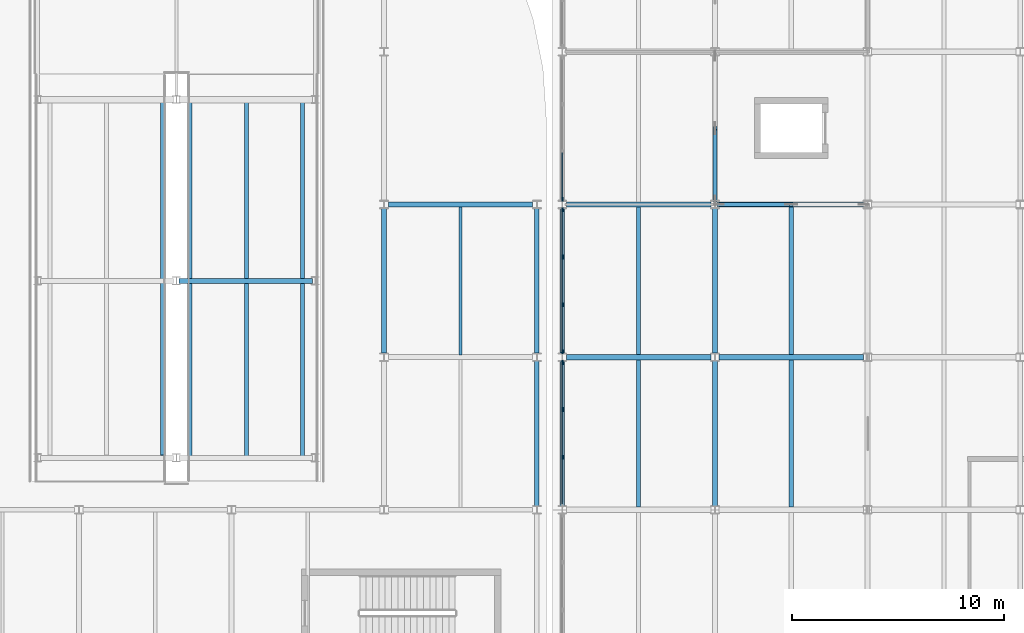
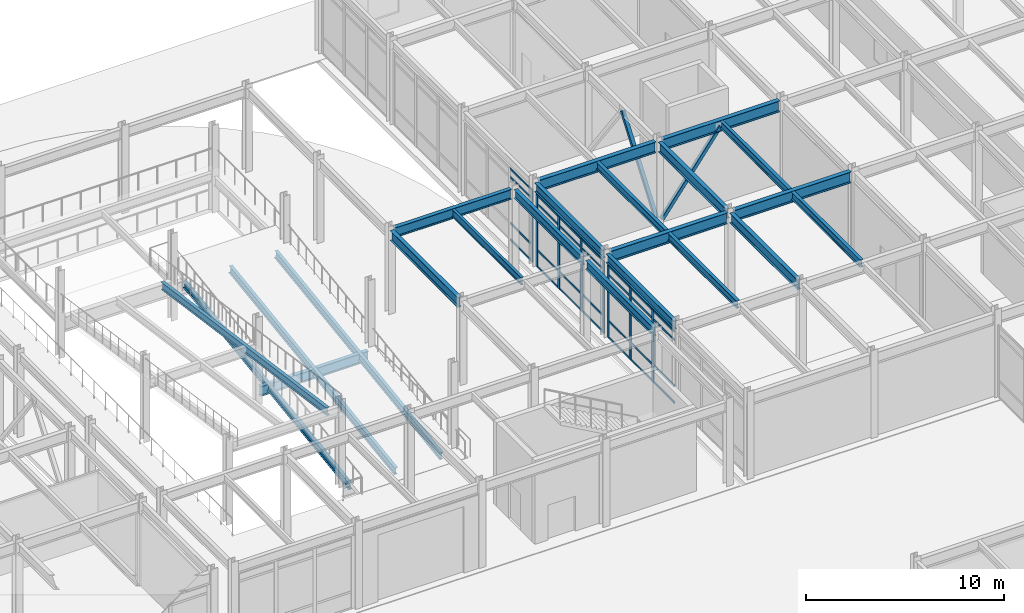
# One storey, part 50 of 104: 38 members, 22 beams, 3 elements without a shape of their own.
"""IFC4 building model written with IfcOpenShell, lengths in metres."""

from ifc_helpers import new_model, si_unit, direction, frame, origin, origin_2d, place, context, subcontext, project, spatial, rectangle, hollow_rectangle, i_section, extrude, material, material_profile, profile_set, type_object, element, aggregate, save


model = new_model("IFC4")

# Units and contexts
model_context = context("Model", 3, precision=1e-05, world=origin(), true_north=direction((0.0, 1.0)))
body_context = subcontext(model_context, "Body", "Model", "MODEL_VIEW")
ifc_project = project(units=[si_unit("LENGTHUNIT", "METRE"), si_unit("AREAUNIT", "SQUARE_METRE"), si_unit("VOLUMEUNIT", "CUBIC_METRE"), si_unit("PLANEANGLEUNIT", "RADIAN"), si_unit("MASSUNIT", "GRAM", prefix="KILO")], contexts=[model_context])

# Site, building, storey
site_placement = place(None, origin())
site = spatial("IfcSite", under=ifc_project, at=site_placement, CompositionType="ELEMENT")
building_placement = place(site_placement, origin())
building = spatial("IfcBuilding", under=site, at=building_placement, Name="Vaelcorin Mobility Hub", CompositionType="ELEMENT")
storey_placement = place(building_placement, origin())
storey = spatial("IfcBuildingStorey", under=building, at=storey_placement, Name="L00", CompositionType="ELEMENT", Elevation=0.0)

# Beams
ifc_material_1 = material(Name="Steel ASTM A992 Grade 50", Category="steel")
ifc_material_profile_1 = material_profile(ifc_material_1, i_section(OverallWidth=0.152099609375, OverallDepth=0.455078125, WebThickness=0.008056640625, FlangeThickness=0.01318359375, FilletRadius=0.012939453125, at=origin_2d()), Name="W18X40")
ifc_profile_set_1 = profile_set([ifc_material_profile_1], Name="Steel ASTM A992 Grade 50")
beam_type_1 = type_object("IfcBeamType", Name="BM-W18X40", PredefinedType="JOIST", material=ifc_profile_set_1)
beam_1_placement = place(storey_placement, frame((148.800048828125, 91.31201171875, 4.922119140625), z_axis=(0.0, 1.0, 0.0), x_axis=(-1.0, 0.0, 0.0)))
element("IfcBeam", 1, at=beam_1_placement, inside=storey, type_object=beam_type_1, Name="L00 Beam V2E-L00-J-04-03-1", PredefinedType="JOIST", context=body_context, shape_type="SweptSolid", body=[
    extrude(i_section(OverallWidth=0.152099609375, OverallDepth=0.455078125, WebThickness=0.008056640625, FlangeThickness=0.01318359375, FilletRadius=0.012939453125, at=origin_2d()), origin(), (0.0, 0.0, 1.0), 6.97607421875),
])
ifc_material_profile_2 = material_profile(ifc_material_1, i_section(OverallWidth=0.19091796875, OverallDepth=0.4599609375, WebThickness=0.010009765625, FlangeThickness=0.01611328125, FilletRadius=0.012939453125, at=origin_2d()), Name="W18X55")
ifc_profile_set_2 = profile_set([ifc_material_profile_2], Name="Steel ASTM A992 Grade 50")
beam_type_2 = type_object("IfcBeamType", Name="BM-W18X55", PredefinedType="JOIST", material=ifc_profile_set_2)
for number, where, z_axis, x_axis, name in (
    (2, (157.199951171875, 84.125, 4.909912109375), (0.0, 1.0, 0.0), (-1.0, 0.0, 0.0), "L00 Beam V5-L00-J-01-10-1"),
    (3, (157.199951171875, 91.324951171875, 4.909912109375), (0.0, 1.0, 0.0), (-1.0, 0.0, 0.0), "L00 Beam V5-L00-J-01-11-1"),
    (4, (164.39990234375, 84.125, 4.909912109375), (0.0, 1.0, 0.0), (-1.0, 0.0, 0.0), "L00 Beam V5-L00-J-02-10-1"),
    (5, (164.39990234375, 91.324951171875, 4.909912109375), (0.0, 1.0, 0.0), (-1.0, 0.0, 0.0), "L00 Beam V5-L00-J-02-11-1"),
):
    element("IfcBeam", number, at=place(storey_placement, frame(where, z_axis=z_axis, x_axis=x_axis)), inside=storey, type_object=beam_type_2, Name=name, PredefinedType="JOIST", context=body_context, shape_type="SweptSolid", body=[
        extrude(i_section(OverallWidth=0.19091796875, OverallDepth=0.4599609375, WebThickness=0.010009765625, FlangeThickness=0.01611328125, FilletRadius=0.012939453125, at=origin_2d()), origin(), (0.0, 0.0, 1.0), 6.949951171875),
    ])
for number, where, z_axis, x_axis, name in (
    (6, (136.050048828125, 86.56005859375, -0.345947265625), (0.0, 0.990237863505, 0.139387853417), (-1.0, 0.0, 0.0), "Vehicle Ramp VR-2 L00 Flight 1 Stringer 1"),
    (7, (138.699951171875, 86.56005859375, -0.345947265625), (0.0, 0.990237863505, 0.139387853417), (-1.0, 0.0, 0.0), "Vehicle Ramp VR-2 L00 Flight 1 Stringer 2"),
    (8, (141.35009765625, 86.56005859375, -0.345947265625), (0.0, 0.990237863505, 0.139387853417), (-1.0, 0.0, 0.0), "Vehicle Ramp VR-2 L00 Flight 1 Stringer 3"),
    (9, (134.75, 103.239990234375, 2.367919921875), (0.0, -0.990235862856, 0.139402065674), (1.0, 0.0, 0.0), "Vehicle Ramp VR-2 L00 Flight 2 Stringer 3"),
):
    element("IfcBeam", number, at=place(storey_placement, frame(where, z_axis=z_axis, x_axis=x_axis)), inside=storey, type_object=beam_type_2, Name=name, PredefinedType="JOIST", context=body_context, shape_type="SweptSolid", body=[
        extrude(i_section(OverallWidth=0.19091796875, OverallDepth=0.4599609375, WebThickness=0.010009765625, FlangeThickness=0.01611328125, FilletRadius=0.012939453125, at=origin_2d()), origin(), (0.0, 0.0, 1.0), 16.844482421875),
    ])
ifc_material_profile_3 = material_profile(ifc_material_1, i_section(OverallWidth=0.2099609375, OverallDepth=0.535888671875, WebThickness=0.010986328125, FlangeThickness=0.017333984375, FilletRadius=0.013916015625, at=origin_2d()), Name="W21X68")
ifc_profile_set_3 = profile_set([ifc_material_profile_3], Name="Steel ASTM A992 Grade 50")
beam_type_3 = type_object("IfcBeamType", Name="BM-W21X68", PredefinedType="SPANDREL", material=ifc_profile_set_3)
beam_2_placement = place(storey_placement, frame((152.39990234375, 84.18798828125, 4.882080078125), z_axis=(0.0, 1.0, 0.0), x_axis=(-1.0, 0.0, 0.0)))
element("IfcBeam", 10, at=beam_2_placement, inside=storey, type_object=beam_type_3, Name="L00 Beam V2E-L00-GY-05-02", PredefinedType="SPANDREL", context=body_context, shape_type="SweptSolid", body=[
    extrude(i_section(OverallWidth=0.2099609375, OverallDepth=0.535888671875, WebThickness=0.010986328125, FlangeThickness=0.017333984375, FilletRadius=0.013916015625, at=origin_2d()), origin(), (0.0, 0.0, 1.0), 6.823974609375),
])
beam_3_placement = place(storey_placement, frame((152.39990234375, 91.388916015625, 4.882080078125), z_axis=(0.0, 1.0, 0.0), x_axis=(-1.0, 0.0, 0.0)))
element("IfcBeam", 11, at=beam_3_placement, inside=storey, type_object=beam_type_3, Name="L00 Beam V2E-L00-GY-05-03", PredefinedType="SPANDREL", context=body_context, shape_type="SweptSolid", body=[
    extrude(i_section(OverallWidth=0.2099609375, OverallDepth=0.535888671875, WebThickness=0.010986328125, FlangeThickness=0.017333984375, FilletRadius=0.013916015625, at=origin_2d()), origin(), (0.0, 0.0, 1.0), 6.822998046875),
])
beam_4_placement = place(storey_placement, frame((153.60009765625, 84.18798828125, 4.8720703125), z_axis=(0.0, 1.0, 0.0), x_axis=(-1.0, 0.0, 0.0)))
element("IfcBeam", 12, at=beam_4_placement, inside=storey, type_object=beam_type_3, Name="L00 Beam V5-L00-GY-01-10", PredefinedType="SPANDREL", context=body_context, shape_type="SweptSolid", body=[
    extrude(i_section(OverallWidth=0.2099609375, OverallDepth=0.535888671875, WebThickness=0.010986328125, FlangeThickness=0.017333984375, FilletRadius=0.013916015625, at=origin_2d()), origin(), (0.0, 0.0, 1.0), 6.823974609375),
])
beam_5_placement = place(storey_placement, frame((153.60009765625, 91.388916015625, 4.8720703125), z_axis=(0.0, 1.0, 0.0), x_axis=(-1.0, 0.0, 0.0)))
element("IfcBeam", 13, at=beam_5_placement, inside=storey, type_object=beam_type_3, Name="L00 Beam V5-L00-GY-01-11", PredefinedType="SPANDREL", context=body_context, shape_type="SweptSolid", body=[
    extrude(i_section(OverallWidth=0.2099609375, OverallDepth=0.535888671875, WebThickness=0.010986328125, FlangeThickness=0.017333984375, FilletRadius=0.013916015625, at=origin_2d()), origin(), (0.0, 0.0, 1.0), 6.822998046875),
])
ifc_material_profile_4 = material_profile(ifc_material_1, i_section(OverallWidth=0.22900390625, OverallDepth=0.612060546875, WebThickness=0.011962890625, FlangeThickness=0.01953125, FilletRadius=0.014892578125, at=origin_2d()), Name="W24X84")
ifc_profile_set_4 = profile_set([ifc_material_profile_4], Name="Steel ASTM A992 Grade 50")
beam_type_4 = type_object("IfcBeamType", Name="BM-W24X84", PredefinedType="BEAM", material=ifc_profile_set_4)
beam_6_placement = place(storey_placement, frame((145.39599609375, 98.39990234375, 4.843994140625), z_axis=(1.0, 0.0, 0.0), x_axis=(0.0, 1.0, 0.0)))
element("IfcBeam", 14, at=beam_6_placement, inside=storey, type_object=beam_type_4, Name="L00 Beam V2E-L00-GX-04-04", PredefinedType="BEAM", context=body_context, shape_type="SweptSolid", body=[
    extrude(i_section(OverallWidth=0.22900390625, OverallDepth=0.612060546875, WebThickness=0.011962890625, FlangeThickness=0.01953125, FilletRadius=0.014892578125, at=origin_2d()), origin(), (0.0, 0.0, 1.0), 6.80810546875),
])
beam_7_placement = place(storey_placement, frame((145.199951171875, 91.388916015625, 4.843994140625), z_axis=(0.0, 1.0, 0.0), x_axis=(-1.0, 0.0, 0.0)))
element("IfcBeam", 15, at=beam_7_placement, inside=storey, type_object=beam_type_4, Name="L00 Beam V2E-L00-GY-04-03", PredefinedType="BEAM", context=body_context, shape_type="SweptSolid", body=[
    extrude(i_section(OverallWidth=0.22900390625, OverallDepth=0.612060546875, WebThickness=0.011962890625, FlangeThickness=0.01953125, FilletRadius=0.014892578125, at=origin_2d()), origin(), (0.0, 0.0, 1.0), 6.822998046875),
])
beam_8_placement = place(storey_placement, frame((160.800048828125, 84.18798828125, 4.833984375), z_axis=(0.0, 1.0, 0.0), x_axis=(-1.0, 0.0, 0.0)))
element("IfcBeam", 16, at=beam_8_placement, inside=storey, type_object=beam_type_4, Name="L00 Beam V5-L00-GY-02-10", PredefinedType="BEAM", context=body_context, shape_type="SweptSolid", body=[
    extrude(i_section(OverallWidth=0.22900390625, OverallDepth=0.612060546875, WebThickness=0.011962890625, FlangeThickness=0.01953125, FilletRadius=0.014892578125, at=origin_2d()), origin(), (0.0, 0.0, 1.0), 6.823974609375),
])
beam_9_placement = place(storey_placement, frame((160.800048828125, 91.388916015625, 4.833984375), z_axis=(0.0, 1.0, 0.0), x_axis=(-1.0, 0.0, 0.0)))
element("IfcBeam", 17, at=beam_9_placement, inside=storey, type_object=beam_type_4, Name="L00 Beam V5-L00-GY-02-11", PredefinedType="BEAM", context=body_context, shape_type="SweptSolid", body=[
    extrude(i_section(OverallWidth=0.22900390625, OverallDepth=0.612060546875, WebThickness=0.011962890625, FlangeThickness=0.01953125, FilletRadius=0.014892578125, at=origin_2d()), origin(), (0.0, 0.0, 1.0), 6.822998046875),
])
beam_10_placement = place(storey_placement, frame((135.530029296875, 94.800048828125, 0.718017578125), z_axis=(1.0, 0.0, 0.0), x_axis=(0.0, 1.0, 0.0)))
element("IfcBeam", 18, at=beam_10_placement, inside=storey, type_object=beam_type_4, Name="Vehicle Ramp VR-2 L00 Bent Girder F1M", PredefinedType="BEAM", context=body_context, shape_type="SweptSolid", body=[
    extrude(i_section(OverallWidth=0.22900390625, OverallDepth=0.612060546875, WebThickness=0.011962890625, FlangeThickness=0.01953125, FilletRadius=0.014892578125, at=origin_2d()), origin(), (0.0, 0.0, 1.0), 6.2900390625),
])
ifc_material_profile_5 = material_profile(ifc_material_1, i_section(OverallWidth=0.25390625, OverallDepth=0.68310546875, WebThickness=0.012451171875, FlangeThickness=0.018798828125, FilletRadius=0.01611328125, at=origin_2d()), Name="W27X94")
ifc_profile_set_5 = profile_set([ifc_material_profile_5], Name="Steel ASTM A992 Grade 50")
beam_type_5 = type_object("IfcBeamType", Name="BM-W27X94", PredefinedType="BEAM", material=ifc_profile_set_5)
beam_11_placement = place(storey_placement, frame((153.7958984375, 91.199951171875, 4.798095703125), z_axis=(1.0, 0.0, 0.0), x_axis=(0.0, 1.0, 0.0)))
element("IfcBeam", 19, at=beam_11_placement, inside=storey, type_object=beam_type_5, Name="L00 Beam V5-L00-GX-11-01", PredefinedType="BEAM", context=body_context, shape_type="SweptSolid", body=[
    extrude(i_section(OverallWidth=0.25390625, OverallDepth=0.68310546875, WebThickness=0.012451171875, FlangeThickness=0.018798828125, FilletRadius=0.01611328125, at=origin_2d()), origin(), (0.0, 0.0, 1.0), 6.80810546875),
])
beam_12_placement = place(storey_placement, frame((160.99609375, 91.199951171875, 4.798095703125), z_axis=(1.0, 0.0, 0.0), x_axis=(0.0, 1.0, 0.0)))
element("IfcBeam", 20, at=beam_12_placement, inside=storey, type_object=beam_type_5, Name="L00 Beam V5-L00-GX-11-02", PredefinedType="BEAM", context=body_context, shape_type="SweptSolid", body=[
    extrude(i_section(OverallWidth=0.25390625, OverallDepth=0.68310546875, WebThickness=0.012451171875, FlangeThickness=0.018798828125, FilletRadius=0.01611328125, at=origin_2d()), origin(), (0.0, 0.0, 1.0), 6.807861328125),
])
beam_13_placement = place(storey_placement, frame((153.7958984375, 98.39990234375, 4.798095703125), z_axis=(1.0, 0.0, 0.0), x_axis=(0.0, 1.0, 0.0)))
element("IfcBeam", 21, at=beam_13_placement, inside=storey, type_object=beam_type_5, Name="L00 Beam V5-L00-GX-12-01", PredefinedType="BEAM", context=body_context, shape_type="SweptSolid", body=[
    extrude(i_section(OverallWidth=0.25390625, OverallDepth=0.68310546875, WebThickness=0.012451171875, FlangeThickness=0.018798828125, FilletRadius=0.01611328125, at=origin_2d()), origin(), (0.0, 0.0, 1.0), 6.80810546875),
])
beam_14_placement = place(storey_placement, frame((160.99609375, 98.39990234375, 4.798095703125), z_axis=(1.0, 0.0, 0.0), x_axis=(0.0, 1.0, 0.0)))
element("IfcBeam", 22, at=beam_14_placement, inside=storey, type_object=beam_type_5, Name="L00 Beam V5-L00-GX-12-02", PredefinedType="BEAM", context=body_context, shape_type="SweptSolid", body=[
    extrude(i_section(OverallWidth=0.25390625, OverallDepth=0.68310546875, WebThickness=0.012451171875, FlangeThickness=0.018798828125, FilletRadius=0.01611328125, at=origin_2d()), origin(), (0.0, 0.0, 1.0), 6.807861328125),
])

# Members
ifc_material_2 = material(Name="Steel ASTM A500 Grade C", Category="steel")
ifc_material_profile_6 = material_profile(ifc_material_2, hollow_rectangle(XDim=0.203125, YDim=0.203125, WallThickness=0.01171875, at=origin_2d()), Name="HSS8X8X0.500")
ifc_profile_set_6 = profile_set([ifc_material_profile_6], Name="Steel ASTM A500 Grade C")
member_type_1 = type_object("IfcMemberType", Name="BR-SCBF-8X8", PredefinedType="BRACE", material=ifc_profile_set_6)
for number, where, z_axis, x_axis, name in (
    (23, (160.989990234375, 98.39990234375, 0.179931640625), (0.598018326756, 0.0, 0.801482427046), (0.0, 1.0, 0.0), "SCBF Chevron Brace V5-BX2-L00-A"),
    (24, (160.800048828125, 98.590087890625, 0.179931640625), (0.0, 0.598018326756, 0.801482427046), (-1.0, 0.0, 0.0), "SCBF Chevron Brace V5-BY2-L00-A"),
):
    element("IfcMember", number, at=place(storey_placement, frame(where, z_axis=z_axis, x_axis=x_axis)), inside=storey, type_object=member_type_1, Name=name, PredefinedType="BRACE", context=body_context, shape_type="SweptSolid", body=[
        extrude(hollow_rectangle(XDim=0.203125, YDim=0.203125, WallThickness=0.01171875, at=origin_2d()), origin(), (0.0, 0.0, 1.0), 5.701904296875),
    ])

# Curtain wall, members
ifc_material_3 = material(Name="Anodised aluminium 6063-T6", Category="aluminium")
curtain_wall_type = type_object("IfcCurtainWallType", Name="CW-MOB-A", PredefinedType="NOTDEFINED", material=ifc_material_3)
curtain_wall_1_placement = place(storey_placement, origin())
curtain_wall_1 = element("IfcCurtainWall", 25, at=curtain_wall_1_placement, inside=storey, type_object=curtain_wall_type, Name="L00 Curtain Wall CW-V5-L00-WN-02", PredefinedType="NOTDEFINED")
ifc_material_profile_7 = material_profile(ifc_material_3, rectangle(XDim=0.070068359375, YDim=0.199951171875, at=origin_2d()), Name="ALU-M70X200")
ifc_profile_set_7 = profile_set([ifc_material_profile_7], Name="Anodised aluminium 6063-T6")
member_type_2 = type_object("IfcMemberType", Name="CW-MULL-200", PredefinedType="MULLION", material=ifc_profile_set_7)
member_1_placement = place(storey_placement, frame((153.60009765625, 86.473388671875, 0.0), z_axis=(0.0, 0.0, 1.0), x_axis=(-1.0, 0.0, 0.0)))
member_1 = element("IfcMember", 26, at=member_1_placement, type_object=member_type_2, Name="CW7 mullion 2", PredefinedType="MULLION", context=body_context, shape_type="SweptSolid", body=[
    extrude(rectangle(XDim=0.070068359375, YDim=0.199951171875, at=origin_2d()), origin(), (0.0, 0.0, 1.0), 4.44189453125),
])
member_2_placement = place(storey_placement, frame((153.60009765625, 88.7265625, 0.0), z_axis=(0.0, 0.0, 1.0), x_axis=(-1.0, 0.0, 0.0)))
member_2 = element("IfcMember", 27, at=member_2_placement, type_object=member_type_2, Name="CW7 mullion 3", PredefinedType="MULLION", context=body_context, shape_type="SweptSolid", body=[
    extrude(rectangle(XDim=0.070068359375, YDim=0.199951171875, at=origin_2d()), origin(), (0.0, 0.0, 1.0), 4.44189453125),
])
member_3_placement = place(storey_placement, frame((153.60009765625, 90.949951171875, 0.0), z_axis=(0.0, 0.0, 1.0), x_axis=(-1.0, 0.0, 0.0)))
member_3 = element("IfcMember", 28, at=member_3_placement, type_object=member_type_2, Name="CW7 mullion 4", PredefinedType="MULLION", context=body_context, shape_type="SweptSolid", body=[
    extrude(rectangle(XDim=0.070068359375, YDim=0.199951171875, at=origin_2d()), origin(), (0.0, 0.0, 1.0), 4.44189453125),
])

curtain_wall_2_placement = place(storey_placement, origin())
curtain_wall_2 = element("IfcCurtainWall", 29, at=curtain_wall_2_placement, inside=storey, type_object=curtain_wall_type, Name="L00 Curtain Wall CW-V5-L00-WN-03", PredefinedType="NOTDEFINED")
member_4_placement = place(storey_placement, frame((153.60009765625, 91.449951171875, 0.0), z_axis=(0.0, 0.0, 1.0), x_axis=(-1.0, 0.0, 0.0)))
member_4 = element("IfcMember", 30, at=member_4_placement, type_object=member_type_2, Name="CW7 mullion 1", PredefinedType="MULLION", context=body_context, shape_type="SweptSolid", body=[
    extrude(rectangle(XDim=0.070068359375, YDim=0.199951171875, at=origin_2d()), origin(), (0.0, 0.0, 1.0), 4.44189453125),
])
member_5_placement = place(storey_placement, frame((153.60009765625, 93.67333984375, 0.0), z_axis=(0.0, 0.0, 1.0), x_axis=(-1.0, 0.0, 0.0)))
member_5 = element("IfcMember", 31, at=member_5_placement, type_object=member_type_2, Name="CW7 mullion 2", PredefinedType="MULLION", context=body_context, shape_type="SweptSolid", body=[
    extrude(rectangle(XDim=0.070068359375, YDim=0.199951171875, at=origin_2d()), origin(), (0.0, 0.0, 1.0), 4.44189453125),
])
member_6_placement = place(storey_placement, frame((153.60009765625, 95.9267578125, 0.0), z_axis=(0.0, 0.0, 1.0), x_axis=(-1.0, 0.0, 0.0)))
member_6 = element("IfcMember", 32, at=member_6_placement, type_object=member_type_2, Name="CW7 mullion 3", PredefinedType="MULLION", context=body_context, shape_type="SweptSolid", body=[
    extrude(rectangle(XDim=0.070068359375, YDim=0.199951171875, at=origin_2d()), origin(), (0.0, 0.0, 1.0), 4.44189453125),
])
member_7_placement = place(storey_placement, frame((153.60009765625, 98.14990234375, 0.0), z_axis=(0.0, 0.0, 1.0), x_axis=(-1.0, 0.0, 0.0)))
member_7 = element("IfcMember", 33, at=member_7_placement, type_object=member_type_2, Name="CW7 mullion 4", PredefinedType="MULLION", context=body_context, shape_type="SweptSolid", body=[
    extrude(rectangle(XDim=0.070068359375, YDim=0.199951171875, at=origin_2d()), origin(), (0.0, 0.0, 1.0), 4.44189453125),
])

# Curtain wall, member
curtain_wall_3_placement = place(storey_placement, origin())
curtain_wall_3 = element("IfcCurtainWall", 34, at=curtain_wall_3_placement, inside=storey, type_object=curtain_wall_type, Name="L00 Curtain Wall CW-V5-L00-WN-04", PredefinedType="NOTDEFINED")
member_8_placement = place(storey_placement, frame((153.60009765625, 98.64990234375, 0.0), z_axis=(0.0, 0.0, 1.0), x_axis=(-1.0, 0.0, 0.0)))
member_8 = element("IfcMember", 35, at=member_8_placement, type_object=member_type_2, Name="CW7 mullion 1", PredefinedType="MULLION", context=body_context, shape_type="SweptSolid", body=[
    extrude(rectangle(XDim=0.070068359375, YDim=0.199951171875, at=origin_2d()), origin(), (0.0, 0.0, 1.0), 4.44189453125),
])

# Member
ifc_material_profile_8 = material_profile(ifc_material_3, rectangle(XDim=0.06005859375, YDim=0.1201171875, at=origin_2d()), Name="ALU-T60X120")
ifc_profile_set_8 = profile_set([ifc_material_profile_8], Name="Anodised aluminium 6063-T6")
member_type_3 = type_object("IfcMemberType", Name="CW-TRAN-140", PredefinedType="USERDEFINED", material=ifc_profile_set_8)
member_9_placement = place(storey_placement, frame((153.60009765625, 84.280029296875, 0.030029296875), z_axis=(0.0, 1.0, 0.0), x_axis=(-1.0, 0.0, 0.0)))
member_9 = element("IfcMember", 36, at=member_9_placement, type_object=member_type_3, Name="CW7 transom 1.1", ObjectType="TRANSOM", PredefinedType="USERDEFINED", context=body_context, shape_type="SweptSolid", body=[
    extrude(rectangle(XDim=0.06005859375, YDim=0.1201171875, at=origin_2d()), origin(), (0.0, 0.0, 1.0), 2.163330078125),
])

member_10_placement = place(storey_placement, frame((153.60009765625, 84.280029296875, 1.050048828125), z_axis=(0.0, 1.0, 0.0), x_axis=(-1.0, 0.0, 0.0)))
member_10 = element("IfcMember", 37, at=member_10_placement, type_object=member_type_3, Name="CW7 transom 1.2", ObjectType="TRANSOM", PredefinedType="USERDEFINED", context=body_context, shape_type="SweptSolid", body=[
    extrude(rectangle(XDim=0.06005859375, YDim=0.1201171875, at=origin_2d()), origin(), (0.0, 0.0, 1.0), 2.163330078125),
])

member_11_placement = place(storey_placement, frame((153.60009765625, 84.280029296875, 3.89208984375), z_axis=(0.0, 1.0, 0.0), x_axis=(-1.0, 0.0, 0.0)))
member_11 = element("IfcMember", 38, at=member_11_placement, type_object=member_type_3, Name="CW7 transom 1.3", ObjectType="TRANSOM", PredefinedType="USERDEFINED", context=body_context, shape_type="SweptSolid", body=[
    extrude(rectangle(XDim=0.06005859375, YDim=0.1201171875, at=origin_2d()), origin(), (0.0, 0.0, 1.0), 2.163330078125),
])

member_12_placement = place(storey_placement, frame((153.60009765625, 84.280029296875, 4.412109375), z_axis=(0.0, 1.0, 0.0), x_axis=(-1.0, 0.0, 0.0)))
member_12 = element("IfcMember", 39, at=member_12_placement, type_object=member_type_3, Name="CW7 transom 1.4", ObjectType="TRANSOM", PredefinedType="USERDEFINED", context=body_context, shape_type="SweptSolid", body=[
    extrude(rectangle(XDim=0.06005859375, YDim=0.1201171875, at=origin_2d()), origin(), (0.0, 0.0, 1.0), 2.163330078125),
])

member_13_placement = place(storey_placement, frame((153.60009765625, 86.50341796875, 0.030029296875), z_axis=(0.0, 1.0, 0.0), x_axis=(-1.0, 0.0, 0.0)))
member_13 = element("IfcMember", 40, at=member_13_placement, type_object=member_type_3, Name="CW7 transom 2.1", ObjectType="TRANSOM", PredefinedType="USERDEFINED", context=body_context, shape_type="SweptSolid", body=[
    extrude(rectangle(XDim=0.06005859375, YDim=0.1201171875, at=origin_2d()), origin(), (0.0, 0.0, 1.0), 2.193359375),
])

member_14_placement = place(storey_placement, frame((153.60009765625, 86.50341796875, 1.050048828125), z_axis=(0.0, 1.0, 0.0), x_axis=(-1.0, 0.0, 0.0)))
member_14 = element("IfcMember", 41, at=member_14_placement, type_object=member_type_3, Name="CW7 transom 2.2", ObjectType="TRANSOM", PredefinedType="USERDEFINED", context=body_context, shape_type="SweptSolid", body=[
    extrude(rectangle(XDim=0.06005859375, YDim=0.1201171875, at=origin_2d()), origin(), (0.0, 0.0, 1.0), 2.193359375),
])

member_15_placement = place(storey_placement, frame((153.60009765625, 86.50341796875, 3.89208984375), z_axis=(0.0, 1.0, 0.0), x_axis=(-1.0, 0.0, 0.0)))
member_15 = element("IfcMember", 42, at=member_15_placement, type_object=member_type_3, Name="CW7 transom 2.3", ObjectType="TRANSOM", PredefinedType="USERDEFINED", context=body_context, shape_type="SweptSolid", body=[
    extrude(rectangle(XDim=0.06005859375, YDim=0.1201171875, at=origin_2d()), origin(), (0.0, 0.0, 1.0), 2.193359375),
])

member_16_placement = place(storey_placement, frame((153.60009765625, 86.50341796875, 4.412109375), z_axis=(0.0, 1.0, 0.0), x_axis=(-1.0, 0.0, 0.0)))
member_16 = element("IfcMember", 43, at=member_16_placement, type_object=member_type_3, Name="CW7 transom 2.4", ObjectType="TRANSOM", PredefinedType="USERDEFINED", context=body_context, shape_type="SweptSolid", body=[
    extrude(rectangle(XDim=0.06005859375, YDim=0.1201171875, at=origin_2d()), origin(), (0.0, 0.0, 1.0), 2.193359375),
])

member_17_placement = place(storey_placement, frame((153.60009765625, 88.756591796875, 0.030029296875), z_axis=(0.0, 1.0, 0.0), x_axis=(-1.0, 0.0, 0.0)))
member_17 = element("IfcMember", 44, at=member_17_placement, type_object=member_type_3, Name="CW7 transom 3.1", ObjectType="TRANSOM", PredefinedType="USERDEFINED", context=body_context, shape_type="SweptSolid", body=[
    extrude(rectangle(XDim=0.06005859375, YDim=0.1201171875, at=origin_2d()), origin(), (0.0, 0.0, 1.0), 2.163330078125),
])

member_18_placement = place(storey_placement, frame((153.60009765625, 88.756591796875, 1.050048828125), z_axis=(0.0, 1.0, 0.0), x_axis=(-1.0, 0.0, 0.0)))
member_18 = element("IfcMember", 45, at=member_18_placement, type_object=member_type_3, Name="CW7 transom 3.2", ObjectType="TRANSOM", PredefinedType="USERDEFINED", context=body_context, shape_type="SweptSolid", body=[
    extrude(rectangle(XDim=0.06005859375, YDim=0.1201171875, at=origin_2d()), origin(), (0.0, 0.0, 1.0), 2.163330078125),
])

member_19_placement = place(storey_placement, frame((153.60009765625, 88.756591796875, 3.89208984375), z_axis=(0.0, 1.0, 0.0), x_axis=(-1.0, 0.0, 0.0)))
member_19 = element("IfcMember", 46, at=member_19_placement, type_object=member_type_3, Name="CW7 transom 3.3", ObjectType="TRANSOM", PredefinedType="USERDEFINED", context=body_context, shape_type="SweptSolid", body=[
    extrude(rectangle(XDim=0.06005859375, YDim=0.1201171875, at=origin_2d()), origin(), (0.0, 0.0, 1.0), 2.163330078125),
])

member_20_placement = place(storey_placement, frame((153.60009765625, 88.756591796875, 4.412109375), z_axis=(0.0, 1.0, 0.0), x_axis=(-1.0, 0.0, 0.0)))
member_20 = element("IfcMember", 47, at=member_20_placement, type_object=member_type_3, Name="CW7 transom 3.4", ObjectType="TRANSOM", PredefinedType="USERDEFINED", context=body_context, shape_type="SweptSolid", body=[
    extrude(rectangle(XDim=0.06005859375, YDim=0.1201171875, at=origin_2d()), origin(), (0.0, 0.0, 1.0), 2.163330078125),
])

aggregate(curtain_wall_1, [member_1, member_2, member_3, member_9, member_10, member_11, member_12, member_13, member_14, member_15, member_16, member_17, member_18, member_19, member_20])

member_21_placement = place(storey_placement, frame((153.60009765625, 91.47998046875, 0.030029296875), z_axis=(0.0, 1.0, 0.0), x_axis=(-1.0, 0.0, 0.0)))
member_21 = element("IfcMember", 48, at=member_21_placement, type_object=member_type_3, Name="CW7 transom 1.1", ObjectType="TRANSOM", PredefinedType="USERDEFINED", context=body_context, shape_type="SweptSolid", body=[
    extrude(rectangle(XDim=0.06005859375, YDim=0.1201171875, at=origin_2d()), origin(), (0.0, 0.0, 1.0), 2.163330078125),
])

member_22_placement = place(storey_placement, frame((153.60009765625, 91.47998046875, 1.050048828125), z_axis=(0.0, 1.0, 0.0), x_axis=(-1.0, 0.0, 0.0)))
member_22 = element("IfcMember", 49, at=member_22_placement, type_object=member_type_3, Name="CW7 transom 1.2", ObjectType="TRANSOM", PredefinedType="USERDEFINED", context=body_context, shape_type="SweptSolid", body=[
    extrude(rectangle(XDim=0.06005859375, YDim=0.1201171875, at=origin_2d()), origin(), (0.0, 0.0, 1.0), 2.163330078125),
])

member_23_placement = place(storey_placement, frame((153.60009765625, 91.47998046875, 3.89208984375), z_axis=(0.0, 1.0, 0.0), x_axis=(-1.0, 0.0, 0.0)))
member_23 = element("IfcMember", 50, at=member_23_placement, type_object=member_type_3, Name="CW7 transom 1.3", ObjectType="TRANSOM", PredefinedType="USERDEFINED", context=body_context, shape_type="SweptSolid", body=[
    extrude(rectangle(XDim=0.06005859375, YDim=0.1201171875, at=origin_2d()), origin(), (0.0, 0.0, 1.0), 2.163330078125),
])

member_24_placement = place(storey_placement, frame((153.60009765625, 91.47998046875, 4.412109375), z_axis=(0.0, 1.0, 0.0), x_axis=(-1.0, 0.0, 0.0)))
member_24 = element("IfcMember", 51, at=member_24_placement, type_object=member_type_3, Name="CW7 transom 1.4", ObjectType="TRANSOM", PredefinedType="USERDEFINED", context=body_context, shape_type="SweptSolid", body=[
    extrude(rectangle(XDim=0.06005859375, YDim=0.1201171875, at=origin_2d()), origin(), (0.0, 0.0, 1.0), 2.163330078125),
])

member_25_placement = place(storey_placement, frame((153.60009765625, 93.703369140625, 0.030029296875), z_axis=(0.0, 1.0, 0.0), x_axis=(-1.0, 0.0, 0.0)))
member_25 = element("IfcMember", 52, at=member_25_placement, type_object=member_type_3, Name="CW7 transom 2.1", ObjectType="TRANSOM", PredefinedType="USERDEFINED", context=body_context, shape_type="SweptSolid", body=[
    extrude(rectangle(XDim=0.06005859375, YDim=0.1201171875, at=origin_2d()), origin(), (0.0, 0.0, 1.0), 2.193359375),
])

member_26_placement = place(storey_placement, frame((153.60009765625, 93.703369140625, 1.050048828125), z_axis=(0.0, 1.0, 0.0), x_axis=(-1.0, 0.0, 0.0)))
member_26 = element("IfcMember", 53, at=member_26_placement, type_object=member_type_3, Name="CW7 transom 2.2", ObjectType="TRANSOM", PredefinedType="USERDEFINED", context=body_context, shape_type="SweptSolid", body=[
    extrude(rectangle(XDim=0.06005859375, YDim=0.1201171875, at=origin_2d()), origin(), (0.0, 0.0, 1.0), 2.193359375),
])

member_27_placement = place(storey_placement, frame((153.60009765625, 93.703369140625, 3.89208984375), z_axis=(0.0, 1.0, 0.0), x_axis=(-1.0, 0.0, 0.0)))
member_27 = element("IfcMember", 54, at=member_27_placement, type_object=member_type_3, Name="CW7 transom 2.3", ObjectType="TRANSOM", PredefinedType="USERDEFINED", context=body_context, shape_type="SweptSolid", body=[
    extrude(rectangle(XDim=0.06005859375, YDim=0.1201171875, at=origin_2d()), origin(), (0.0, 0.0, 1.0), 2.193359375),
])

member_28_placement = place(storey_placement, frame((153.60009765625, 93.703369140625, 4.412109375), z_axis=(0.0, 1.0, 0.0), x_axis=(-1.0, 0.0, 0.0)))
member_28 = element("IfcMember", 55, at=member_28_placement, type_object=member_type_3, Name="CW7 transom 2.4", ObjectType="TRANSOM", PredefinedType="USERDEFINED", context=body_context, shape_type="SweptSolid", body=[
    extrude(rectangle(XDim=0.06005859375, YDim=0.1201171875, at=origin_2d()), origin(), (0.0, 0.0, 1.0), 2.193359375),
])

member_29_placement = place(storey_placement, frame((153.60009765625, 95.956787109375, 0.030029296875), z_axis=(0.0, 1.0, 0.0), x_axis=(-1.0, 0.0, 0.0)))
member_29 = element("IfcMember", 56, at=member_29_placement, type_object=member_type_3, Name="CW7 transom 3.1", ObjectType="TRANSOM", PredefinedType="USERDEFINED", context=body_context, shape_type="SweptSolid", body=[
    extrude(rectangle(XDim=0.06005859375, YDim=0.1201171875, at=origin_2d()), origin(), (0.0, 0.0, 1.0), 2.163330078125),
])

member_30_placement = place(storey_placement, frame((153.60009765625, 95.956787109375, 1.050048828125), z_axis=(0.0, 1.0, 0.0), x_axis=(-1.0, 0.0, 0.0)))
member_30 = element("IfcMember", 57, at=member_30_placement, type_object=member_type_3, Name="CW7 transom 3.2", ObjectType="TRANSOM", PredefinedType="USERDEFINED", context=body_context, shape_type="SweptSolid", body=[
    extrude(rectangle(XDim=0.06005859375, YDim=0.1201171875, at=origin_2d()), origin(), (0.0, 0.0, 1.0), 2.163330078125),
])

member_31_placement = place(storey_placement, frame((153.60009765625, 95.956787109375, 3.89208984375), z_axis=(0.0, 1.0, 0.0), x_axis=(-1.0, 0.0, 0.0)))
member_31 = element("IfcMember", 58, at=member_31_placement, type_object=member_type_3, Name="CW7 transom 3.3", ObjectType="TRANSOM", PredefinedType="USERDEFINED", context=body_context, shape_type="SweptSolid", body=[
    extrude(rectangle(XDim=0.06005859375, YDim=0.1201171875, at=origin_2d()), origin(), (0.0, 0.0, 1.0), 2.163330078125),
])

member_32_placement = place(storey_placement, frame((153.60009765625, 95.956787109375, 4.412109375), z_axis=(0.0, 1.0, 0.0), x_axis=(-1.0, 0.0, 0.0)))
member_32 = element("IfcMember", 59, at=member_32_placement, type_object=member_type_3, Name="CW7 transom 3.4", ObjectType="TRANSOM", PredefinedType="USERDEFINED", context=body_context, shape_type="SweptSolid", body=[
    extrude(rectangle(XDim=0.06005859375, YDim=0.1201171875, at=origin_2d()), origin(), (0.0, 0.0, 1.0), 2.163330078125),
])

aggregate(curtain_wall_2, [member_4, member_5, member_6, member_7, member_21, member_22, member_23, member_24, member_25, member_26, member_27, member_28, member_29, member_30, member_31, member_32])

member_33_placement = place(storey_placement, frame((153.60009765625, 98.679931640625, 0.030029296875), z_axis=(0.0, 1.0, 0.0), x_axis=(-1.0, 0.0, 0.0)))
member_33 = element("IfcMember", 60, at=member_33_placement, type_object=member_type_3, Name="CW7 transom 1.1", ObjectType="TRANSOM", PredefinedType="USERDEFINED", context=body_context, shape_type="SweptSolid", body=[
    extrude(rectangle(XDim=0.06005859375, YDim=0.1201171875, at=origin_2d()), origin(), (0.0, 0.0, 1.0), 2.163330078125),
])

member_34_placement = place(storey_placement, frame((153.60009765625, 98.679931640625, 1.050048828125), z_axis=(0.0, 1.0, 0.0), x_axis=(-1.0, 0.0, 0.0)))
member_34 = element("IfcMember", 61, at=member_34_placement, type_object=member_type_3, Name="CW7 transom 1.2", ObjectType="TRANSOM", PredefinedType="USERDEFINED", context=body_context, shape_type="SweptSolid", body=[
    extrude(rectangle(XDim=0.06005859375, YDim=0.1201171875, at=origin_2d()), origin(), (0.0, 0.0, 1.0), 2.163330078125),
])

member_35_placement = place(storey_placement, frame((153.60009765625, 98.679931640625, 3.89208984375), z_axis=(0.0, 1.0, 0.0), x_axis=(-1.0, 0.0, 0.0)))
member_35 = element("IfcMember", 62, at=member_35_placement, type_object=member_type_3, Name="CW7 transom 1.3", ObjectType="TRANSOM", PredefinedType="USERDEFINED", context=body_context, shape_type="SweptSolid", body=[
    extrude(rectangle(XDim=0.06005859375, YDim=0.1201171875, at=origin_2d()), origin(), (0.0, 0.0, 1.0), 2.163330078125),
])

member_36_placement = place(storey_placement, frame((153.60009765625, 98.679931640625, 4.412109375), z_axis=(0.0, 1.0, 0.0), x_axis=(-1.0, 0.0, 0.0)))
member_36 = element("IfcMember", 63, at=member_36_placement, type_object=member_type_3, Name="CW7 transom 1.4", ObjectType="TRANSOM", PredefinedType="USERDEFINED", context=body_context, shape_type="SweptSolid", body=[
    extrude(rectangle(XDim=0.06005859375, YDim=0.1201171875, at=origin_2d()), origin(), (0.0, 0.0, 1.0), 2.163330078125),
])

aggregate(curtain_wall_3, [member_8, member_33, member_34, member_35, member_36])

save(model, "model.ifc")
